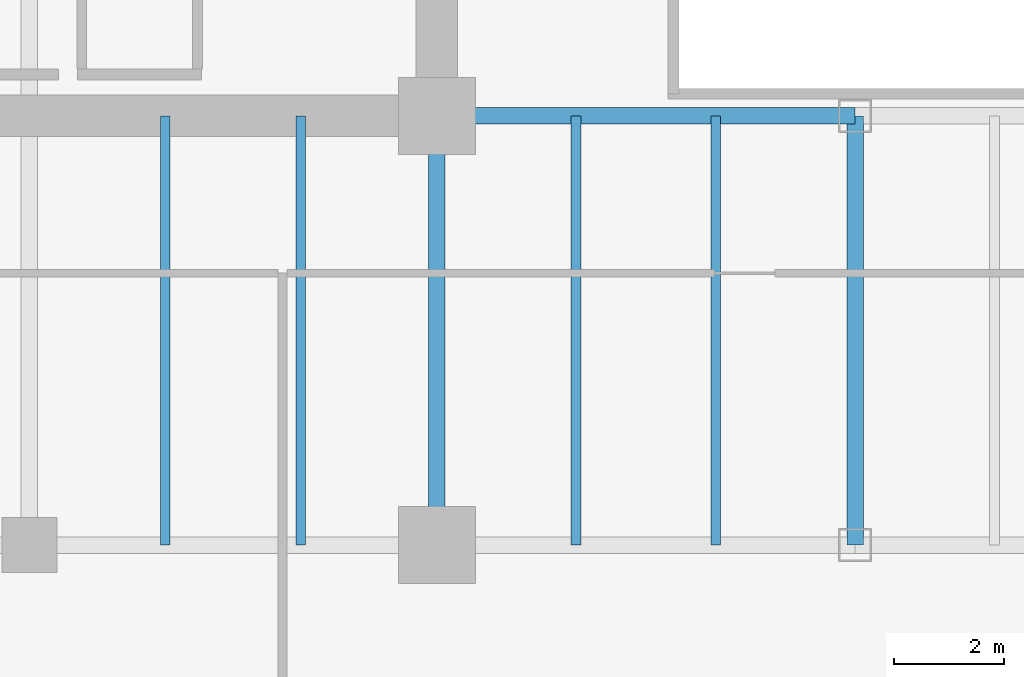
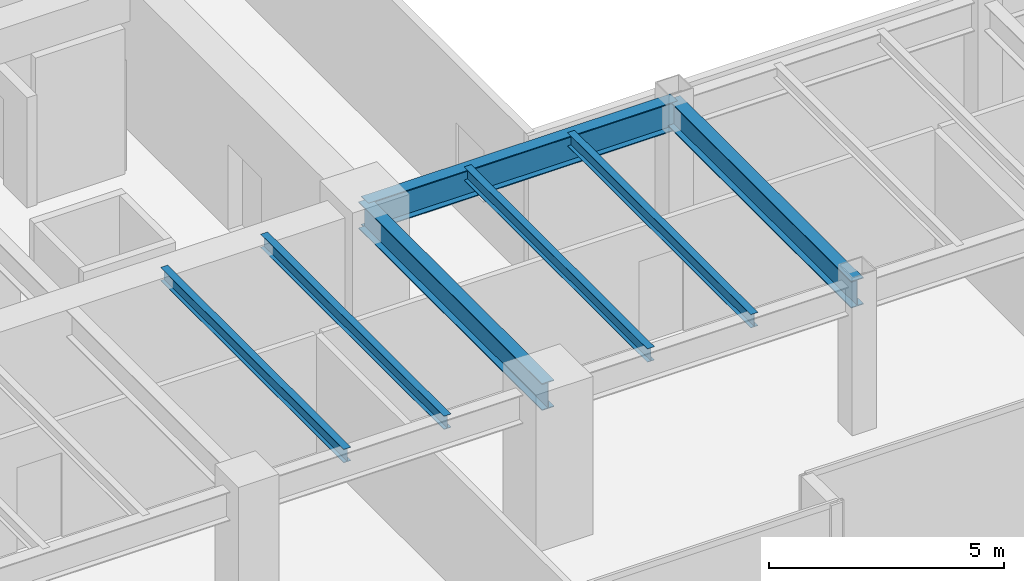
# One storey, part 5 of 35: 7 beams.
"""IFC4 building model written with IfcOpenShell, lengths in metres."""

from ifc_helpers import new_model, si_unit, direction, frame, origin, origin_2d, place, context, subcontext, project, spatial, i_section, extrude, source, transform, mapped, material, material_profile, profile_set, type_object, type_shapes, element, save


model = new_model("IFC4")

# Units and contexts
model_context = context("Model", 3, precision=1e-05, world=origin(), true_north=direction((0.0, 1.0)))
body_context = subcontext(model_context, "Body", "Model", "MODEL_VIEW")
ifc_project = project(units=[si_unit("LENGTHUNIT", "METRE"), si_unit("AREAUNIT", "SQUARE_METRE"), si_unit("VOLUMEUNIT", "CUBIC_METRE"), si_unit("PLANEANGLEUNIT", "RADIAN"), si_unit("MASSUNIT", "GRAM", prefix="KILO")], contexts=[model_context])

# Site, building, storey
site_placement = place(None, origin())
site = spatial("IfcSite", under=ifc_project, at=site_placement, CompositionType="ELEMENT")
building_placement = place(site_placement, origin())
building = spatial("IfcBuilding", under=site, at=building_placement, Name="Haelvirn Gate Laboratories", CompositionType="ELEMENT")
storey_placement = place(building_placement, frame((0.0, 0.0, 37.5)))
storey = spatial("IfcBuildingStorey", under=building, at=storey_placement, Name="L09", CompositionType="ELEMENT", Elevation=37.5)

# Beams
ifc_material = material(Name="Steel SM355", Category="steel")
ifc_material_profile_1 = material_profile(ifc_material, i_section(OverallWidth=0.300048828125, OverallDepth=0.699951171875, WebThickness=0.012939453125, FlangeThickness=0.02392578125, at=origin_2d()), Name="H-700x300x13x24")
ifc_profile_set_1 = profile_set([ifc_material_profile_1], Name="Steel SM355")
beam_type_1 = type_object("IfcBeamType", Name="BM-G-700", PredefinedType="BEAM", material=ifc_profile_set_1)
shared_shape_1 = source(origin(), body_context, "Body", "SweptSolid", [
    extrude(i_section(OverallWidth=0.300048828125, OverallDepth=0.699951171875, WebThickness=0.012939453125, FlangeThickness=0.02392578125, at=origin_2d()), origin(), (0.0, 0.0, 1.0), 7.800048828125),
])
type_shapes(beam_type_1, [shared_shape_1])
for number, where, z_axis, x_axis, name in (
    (1, (22.199951171875, 7.0, 3.429931640625), (0.0, 1.0, 0.0), (-1.0, 0.0, 0.0), "L09 Frame Girder X22.2 (7.0-14.8)"),
    (2, (29.800048828125, 7.0, 3.429931640625), (0.0, 1.0, 0.0), (-1.0, 0.0, 0.0), "L09 Frame Girder X29.8 (7.0-14.8)"),
):
    element("IfcBeam", number, at=place(storey_placement, frame(where, z_axis=z_axis, x_axis=x_axis)), inside=storey, type_object=beam_type_1, Name=name, PredefinedType="BEAM", context=body_context, shape_type="MappedRepresentation", body=[
        mapped(shared_shape_1, transform((0.0, 0.0, 0.0), scale=1.0)),
    ])
ifc_material_profile_2 = material_profile(ifc_material, i_section(OverallWidth=0.300048828125, OverallDepth=0.75, WebThickness=0.013916015625, FlangeThickness=0.02392578125, at=origin_2d()), Name="H-750x300x14x24")
ifc_profile_set_2 = profile_set([ifc_material_profile_2], Name="Steel SM355")
beam_type_2 = type_object("IfcBeamType", Name="BM-G-750", PredefinedType="BEAM", material=ifc_profile_set_2)
shared_shape_2 = source(origin(), body_context, "Body", "SweptSolid", [
    extrude(i_section(OverallWidth=0.300048828125, OverallDepth=0.75, WebThickness=0.013916015625, FlangeThickness=0.02392578125, at=origin_2d()), origin(), (0.0, 0.0, 1.0), 7.60009765625),
])
type_shapes(beam_type_2, [shared_shape_2])
beam_placement = place(storey_placement, frame((22.199951171875, 14.800048828125, 3.405029296875), z_axis=(1.0, 0.0, 0.0), x_axis=(0.0, 1.0, 0.0)))
element("IfcBeam", 3, at=beam_placement, inside=storey, type_object=beam_type_2, Name="L09 Primary Girder Y14.8 (22.2-29.8)", PredefinedType="BEAM", context=body_context, shape_type="MappedRepresentation", body=[
    mapped(shared_shape_2, transform((0.0, 0.0, 0.0), scale=1.0)),
])
ifc_material_profile_3 = material_profile(ifc_material, i_section(OverallWidth=0.175048828125, OverallDepth=0.35009765625, WebThickness=0.007080078125, FlangeThickness=0.010986328125, at=origin_2d()), Name="H-350x175x7x11")
ifc_profile_set_3 = profile_set([ifc_material_profile_3], Name="Steel SM355")
beam_type_3 = type_object("IfcBeamType", Name="BM-J-350", PredefinedType="JOIST", material=ifc_profile_set_3)
shared_shape_3 = source(origin(), body_context, "Body", "SweptSolid", [
    extrude(i_section(OverallWidth=0.175048828125, OverallDepth=0.35009765625, WebThickness=0.007080078125, FlangeThickness=0.010986328125, at=origin_2d()), origin(), (0.0, 0.0, 1.0), 7.800048828125),
])
type_shapes(beam_type_3, [shared_shape_3])
for number, where, z_axis, x_axis, name in (
    (4, (17.27001953125, 7.0, 3.60498046875), (0.0, 1.0, 0.0), (-1.0, 0.0, 0.0), "L09 Composite Lab Joist South X17.27"),
    (5, (19.72998046875, 7.0, 3.60498046875), (0.0, 1.0, 0.0), (-1.0, 0.0, 0.0), "L09 Composite Lab Joist South X19.73"),
    (6, (24.72998046875, 7.0, 3.60498046875), (0.0, 1.0, 0.0), (-1.0, 0.0, 0.0), "L09 Composite Lab Joist South X24.73"),
    (7, (27.27001953125, 7.0, 3.60498046875), (0.0, 1.0, 0.0), (-1.0, 0.0, 0.0), "L09 Composite Lab Joist South X27.27"),
):
    element("IfcBeam", number, at=place(storey_placement, frame(where, z_axis=z_axis, x_axis=x_axis)), inside=storey, type_object=beam_type_3, Name=name, PredefinedType="JOIST", context=body_context, shape_type="MappedRepresentation", body=[
        mapped(shared_shape_3, transform((0.0, 0.0, 0.0), scale=1.0)),
    ])

save(model, "model.ifc")
